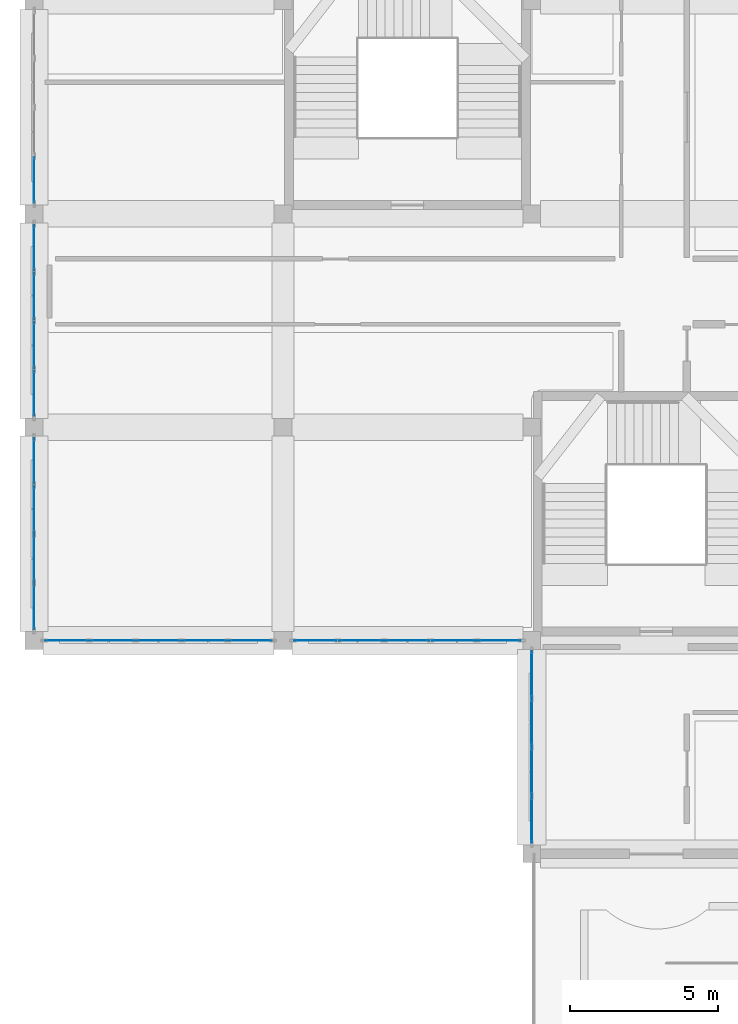
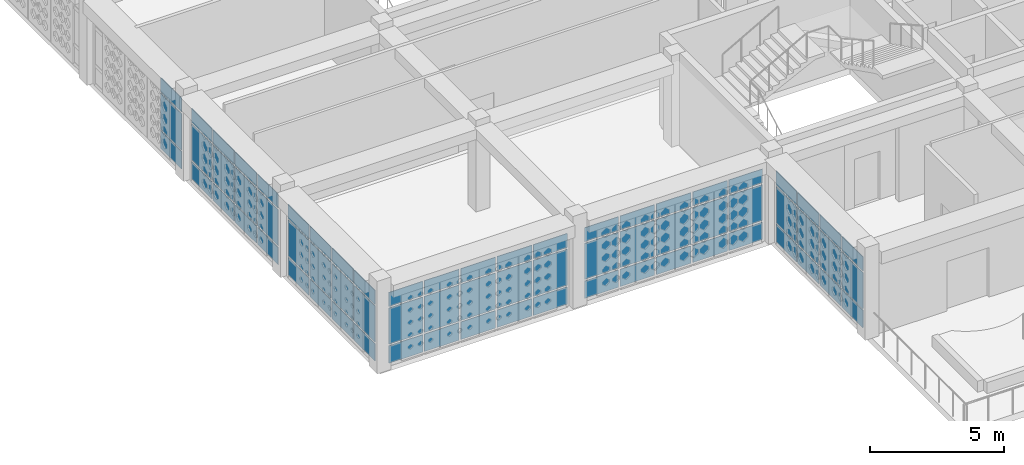
# One storey, part 24 of 48: 69 plates, 6 elements without a shape of their own.
"""IFC4 building model written with IfcOpenShell, lengths in metres."""

import ifcopenshell
import ifcopenshell.guid

model = None  # the IFC model being written
_history = None  # IfcOwnerHistory: only IFC2X3 demands one
_inside = {}  # id of a spatial element -> (the spatial element, [elements in it])
_under = {}  # id of a project, library or spatial element -> (it, [spatial elements below it])
_declared = {}  # id of a project -> (the project, [libraries it declares])
_typed = {}  # id of a type object -> (the type object, [elements of that type])
_made_of = {}  # id of a material, layer set ... -> (it, [elements and type objects made of it])


def new_model(schema):
    """Start an empty IFC model of exactly this schema.

    Asked for "IFC4X3", IfcOpenShell would pick the latest addendum, in which some entities
    have other attributes; the version numbers below select the first issue.
    IFC2X3 requires an IfcOwnerHistory on every rooted entity: one is made here for all.
    """
    global model, _history
    if schema == "IFC4X3":
        model = ifcopenshell.file(schema_version=(4, 3, 0, 0))
    else:
        model = ifcopenshell.file(schema=schema)
    _inside.clear()
    _under.clear()
    _declared.clear()
    _typed.clear()
    _made_of.clear()
    _history = None
    if model.schema == "IFC2X3":
        org = make("IfcOrganization", Name="unknown")
        user = make(
            "IfcPersonAndOrganization",
            ThePerson=make("IfcPerson", FamilyName="unknown"),
            TheOrganization=org,
        )
        app = make(
            "IfcApplication",
            ApplicationDeveloper=org,
            Version="unknown",
            ApplicationFullName="unknown",
            ApplicationIdentifier="unknown",
        )
        _history = make(
            "IfcOwnerHistory",
            OwningUser=user,
            OwningApplication=app,
            ChangeAction="ADDED",
            CreationDate=0,
        )
    return model


def make(cls, **values):
    """One entity of the class cls with the attributes given. An attribute that is None is left unset."""
    return model.create_entity(
        cls, **{name: value for name, value in values.items() if value is not None}
    )


def rooted(cls, **values):
    """An entity with a GlobalId (a new one), such as an element, a storey or a relation."""
    return make(cls, GlobalId=ifcopenshell.guid.new(), OwnerHistory=_history, **values)


def si_unit(unit_type, name, prefix=None):
    """IfcSIUnit, for example si_unit("LENGTHUNIT", "METRE", prefix="MILLI")."""
    return make("IfcSIUnit", UnitType=unit_type, Prefix=prefix, Name=name)


def derived_unit(unit_type, elements):
    """IfcDerivedUnit: a product of units, each with its exponent."""
    return make(
        "IfcDerivedUnit",
        Elements=[
            make("IfcDerivedUnitElement", Unit=unit, Exponent=power)
            for unit, power in elements
        ],
        UnitType=unit_type,
    )


def assignment(units):
    """IfcUnitAssignment: the units of a project."""
    return None if units is None else make("IfcUnitAssignment", Units=units)


def point(xyz):
    """IfcCartesianPoint."""
    return None if xyz is None else make("IfcCartesianPoint", Coordinates=xyz)


def direction(xyz):
    """IfcDirection."""
    return None if xyz is None else make("IfcDirection", DirectionRatios=xyz)


def frame(location, z_axis=None, x_axis=None):
    """IfcAxis2Placement3D, a coordinate frame: its origin and axes. An axis left out is left unset."""
    return make(
        "IfcAxis2Placement3D",
        Location=point(location),
        Axis=direction(z_axis),
        RefDirection=direction(x_axis),
    )


def frame_2d(location, x_axis=None):
    """IfcAxis2Placement2D, a coordinate frame in the plane: its origin and x axis."""
    return make(
        "IfcAxis2Placement2D", Location=point(location), RefDirection=direction(x_axis)
    )


def origin():
    """The frame at (0, 0, 0) with its axes left unset."""
    return frame((0.0, 0.0, 0.0))


def origin_2d():
    """The frame at (0, 0) in the plane with its x axis left unset."""
    return frame_2d((0.0, 0.0))


def place(relative_to, where):
    """IfcLocalPlacement: puts the frame where relative to a parent placement (None: the world)."""
    return make(
        "IfcLocalPlacement", PlacementRelTo=relative_to, RelativePlacement=where
    )


def context(
    kind, dimensions, precision=None, world=None, true_north=None, identifier=None
):
    """IfcGeometricRepresentationContext, for example the 3D "Model" context."""
    return make(
        "IfcGeometricRepresentationContext",
        ContextIdentifier=identifier,
        ContextType=kind,
        CoordinateSpaceDimension=dimensions,
        Precision=precision,
        WorldCoordinateSystem=world,
        TrueNorth=true_north,
    )


def subcontext(parent, identifier, kind, view, scale=None):
    """IfcGeometricRepresentationSubContext, for example "Body" below "Model"."""
    return make(
        "IfcGeometricRepresentationSubContext",
        ContextIdentifier=identifier,
        ContextType=kind,
        ParentContext=parent,
        TargetScale=scale,
        TargetView=view,
    )


def project(units=None, contexts=None):
    """IfcProject with its units and contexts."""
    return rooted(
        "IfcProject",
        Name="project",
        RepresentationContexts=contexts,
        UnitsInContext=assignment(units),
    )


def spatial(cls, under=None, at=None, **own):
    """A site, building, storey or space (cls), placed at a placement, below another one or the project."""
    s = rooted(cls, ObjectPlacement=at, **own)
    if under is not None:
        _under.setdefault(under.id(), (under, []))[1].append(s)
    return s


def profile(cls, at=None, kind="AREA", **sizes):
    """A parametric profile (cls). Its sizes go by their IFC names, for example OverallWidth=200.0."""
    return make(cls, ProfileType=kind, Position=at, **sizes)


def rectangle(**sizes):
    """IfcRectangleProfileDef."""
    return profile("IfcRectangleProfileDef", **sizes)


def extrude(swept, where, along, depth):
    """IfcExtrudedAreaSolid: the profile swept, set in the frame where, extruded along a direction by depth."""
    return make(
        "IfcExtrudedAreaSolid",
        SweptArea=swept,
        Position=where,
        ExtrudedDirection=direction(along),
        Depth=depth,
    )


def shape(context_of_items, identifier, shape_type, items):
    """IfcShapeRepresentation: the items that make up one representation, for example the "Body"."""
    return make(
        "IfcShapeRepresentation",
        ContextOfItems=context_of_items,
        RepresentationIdentifier=identifier,
        RepresentationType=shape_type,
        Items=items,
    )


def material(Name=None, Category=None):
    """IfcMaterial."""
    return make("IfcMaterial", Name=Name, Category=Category)


def layer(
    of_material, thickness, ventilated=None, Name=None, Category=None, Priority=None
):
    """IfcMaterialLayer: one layer of a wall or slab, of a material (None: an air gap)."""
    return make(
        "IfcMaterialLayer",
        Material=of_material,
        LayerThickness=thickness,
        IsVentilated=ventilated,
        Name=Name,
        Category=Category,
        Priority=Priority,
    )


def layer_set(layers, Name=None):
    """IfcMaterialLayerSet."""
    return make("IfcMaterialLayerSet", MaterialLayers=layers, LayerSetName=Name)


def made_of(thing, what):
    """Note that an element or type object is made of a material, layer set ...; save() writes the relation."""
    if what is not None:
        _made_of.setdefault(what.id(), (what, []))[1].append(thing)
    return thing


def type_object(cls, material=None, **own):
    """A type object (cls), such as IfcWallType, which elements share."""
    return made_of(rooted(cls, **own), material)


def element(
    cls,
    number,
    at=None,
    inside=None,
    cuts=None,
    type_object=None,
    material=None,
    context=None,
    identifier="Body",
    shape_type=None,
    held_by="IfcProductDefinitionShape",
    body=None,
    shapes=None,
    **own,
):
    """One element of the class cls, such as IfcWall. Its Tag is "e" and its number.

    at: its placement. inside: the storey or other place that contains it. cuts: it is an
    opening in that element (IfcRelVoidsElement). A single representation is given by context,
    identifier, shape_type and body (its items); several are given by shapes. held_by: the class
    of the entity that holds the representations. save() writes the other relations.
    """
    e = rooted(cls, Tag="e%d" % number, ObjectPlacement=at, **own)
    if body is not None:
        shapes = [shape(context, identifier, shape_type, body)]
    if shapes is not None:
        e.Representation = make(held_by, Representations=shapes)
    if inside is not None:
        _inside.setdefault(inside.id(), (inside, []))[1].append(e)
    if cuts is not None:
        rooted(
            "IfcRelVoidsElement", RelatingBuildingElement=cuts, RelatedOpeningElement=e
        )
    if type_object is not None:
        _typed.setdefault(type_object.id(), (type_object, []))[1].append(e)
    return made_of(e, material)


def aggregate(whole, parts):
    """IfcRelAggregates: a whole, such as a stair, and the parts it consists of."""
    return rooted("IfcRelAggregates", RelatingObject=whole, RelatedObjects=parts)


def save(model, path):
    """Write the relations noted so far, then the file.

    IfcRelAggregates (storeys below a building ...), IfcRelContainedInSpatialStructure (elements
    in a storey), IfcRelDefinesByType, IfcRelAssociatesMaterial and IfcRelDeclares: one each for
    every whole, place, type object, material and project.
    """
    for whole, parts in _under.values():
        aggregate(whole, parts)
    for where, things in _inside.values():
        rooted(
            "IfcRelContainedInSpatialStructure",
            RelatedElements=things,
            RelatingStructure=where,
        )
    for kind, things in _typed.values():
        rooted("IfcRelDefinesByType", RelatedObjects=things, RelatingType=kind)
    for what, things in _made_of.values():
        rooted("IfcRelAssociatesMaterial", RelatedObjects=things, RelatingMaterial=what)
    for by, libraries in _declared.values():
        rooted("IfcRelDeclares", RelatingContext=by, RelatedDefinitions=libraries)
    model.write(path)


model = new_model("IFC4")

# Units and contexts
model_context = context("Model", 3, precision=1e-05, world=origin(), true_north=direction((0.0, 1.0)))
body_context = subcontext(model_context, "Body", "Model", "MODEL_VIEW")
ifc_project = project(units=[si_unit("LENGTHUNIT", "METRE"), si_unit("AREAUNIT", "SQUARE_METRE"), si_unit("VOLUMEUNIT", "CUBIC_METRE"), si_unit("PLANEANGLEUNIT", "RADIAN"), si_unit("MASSUNIT", "GRAM", prefix="KILO"), derived_unit("THERMALTRANSMITTANCEUNIT", [(si_unit("POWERUNIT", "WATT"), 1), (si_unit("LENGTHUNIT", "METRE"), -2), (si_unit("THERMODYNAMICTEMPERATUREUNIT", "KELVIN"), -1)])], contexts=[model_context])

# Site, building, storey
site_placement = place(None, origin())
site = spatial("IfcSite", under=ifc_project, at=site_placement, CompositionType="ELEMENT")
building_placement = place(site_placement, origin())
building = spatial("IfcBuilding", under=site, at=building_placement, Name="Veybourne Emporium", CompositionType="ELEMENT")
storey_placement = place(building_placement, frame((0.0, 0.0, 27.89990234375)))
storey = spatial("IfcBuildingStorey", under=building, at=storey_placement, Name="L06", CompositionType="ELEMENT", Elevation=27.89990234375)

# Curtain wall, plates
ifc_material_1 = material(Name="Patinated Architectural Bronze", Category="bronze")
curtain_wall_type_1 = type_object("IfcCurtainWallType", Name="CWSystem_CWS-09", PredefinedType="NOTDEFINED", material=ifc_material_1)
curtain_wall_1_placement = place(storey_placement, origin())
curtain_wall_1 = element("IfcCurtainWall", 1, at=curtain_wall_1_placement, inside=storey, type_object=curtain_wall_type_1, Name="L06 bronze glazed curtain wall CWS-09 (001)", PredefinedType="NOTDEFINED")
ifc_material_2 = material(Name="Low-E Triple Glazing", Category="glass")
ifc_layer = layer(ifc_material_2, 0.028076171875)
ifc_layer_set = layer_set([ifc_layer], Name="Low-E Triple Glazing")
plate_type = type_object("IfcPlateType", Name="CWPanel_CW-P1", PredefinedType="CURTAIN_PANEL", material=ifc_layer_set)
plate_1_placement = place(storey_placement, frame((7.302001953125, 14.39990234375, 0.072021484375), z_axis=(0.0, 0.0, 1.0), x_axis=(-1.0, 0.0, 0.0)))
plate_1 = element("IfcPlate", 2, at=plate_1_placement, type_object=plate_type, Name="CWS-09 panel 1.1", PredefinedType="CURTAIN_PANEL", context=body_context, shape_type="SweptSolid", body=[
    extrude(rectangle(XDim=1.451904296875, YDim=0.028076171875, at=origin_2d()), origin(), (0.0, 0.0, 1.0), 0.7919921875),
])
plate_2_placement = place(storey_placement, frame((7.302001953125, 14.39990234375, 0.93603515625), z_axis=(0.0, 0.0, 1.0), x_axis=(-1.0, 0.0, 0.0)))
plate_2 = element("IfcPlate", 3, at=plate_2_placement, type_object=plate_type, Name="CWS-09 panel 1.2", PredefinedType="CURTAIN_PANEL", context=body_context, shape_type="SweptSolid", body=[
    extrude(rectangle(XDim=1.451904296875, YDim=0.028076171875, at=origin_2d()), origin(), (0.0, 0.0, 1.0), 1.637939453125),
])
plate_3_placement = place(storey_placement, frame((7.302001953125, 14.39990234375, 2.64599609375), z_axis=(0.0, 0.0, 1.0), x_axis=(-1.0, 0.0, 0.0)))
plate_3 = element("IfcPlate", 4, at=plate_3_placement, type_object=plate_type, Name="CWS-09 panel 1.3", PredefinedType="CURTAIN_PANEL", context=body_context, shape_type="SweptSolid", body=[
    extrude(rectangle(XDim=1.451904296875, YDim=0.028076171875, at=origin_2d()), origin(), (0.0, 0.0, 1.0), 0.64208984375),
])
plate_4_placement = place(storey_placement, frame((5.760009765625, 14.39990234375, 0.072021484375), z_axis=(0.0, 0.0, 1.0), x_axis=(-1.0, 0.0, 0.0)))
plate_4 = element("IfcPlate", 5, at=plate_4_placement, type_object=plate_type, Name="CWS-09 panel 2.1", PredefinedType="CURTAIN_PANEL", context=body_context, shape_type="SweptSolid", body=[
    extrude(rectangle(XDim=1.488037109375, YDim=0.028076171875, at=origin_2d()), origin(), (0.0, 0.0, 1.0), 0.7919921875),
])
plate_5_placement = place(storey_placement, frame((5.760009765625, 14.39990234375, 0.93603515625), z_axis=(0.0, 0.0, 1.0), x_axis=(-1.0, 0.0, 0.0)))
plate_5 = element("IfcPlate", 6, at=plate_5_placement, type_object=plate_type, Name="CWS-09 panel 2.2", PredefinedType="CURTAIN_PANEL", context=body_context, shape_type="SweptSolid", body=[
    extrude(rectangle(XDim=1.488037109375, YDim=0.028076171875, at=origin_2d()), origin(), (0.0, 0.0, 1.0), 1.637939453125),
])
plate_6_placement = place(storey_placement, frame((5.760009765625, 14.39990234375, 2.64599609375), z_axis=(0.0, 0.0, 1.0), x_axis=(-1.0, 0.0, 0.0)))
plate_6 = element("IfcPlate", 7, at=plate_6_placement, type_object=plate_type, Name="CWS-09 panel 2.3", PredefinedType="CURTAIN_PANEL", context=body_context, shape_type="SweptSolid", body=[
    extrude(rectangle(XDim=1.488037109375, YDim=0.028076171875, at=origin_2d()), origin(), (0.0, 0.0, 1.0), 0.64208984375),
])
plate_7_placement = place(storey_placement, frame((4.199951171875, 14.39990234375, 0.072021484375), z_axis=(0.0, 0.0, 1.0), x_axis=(-1.0, 0.0, 0.0)))
plate_7 = element("IfcPlate", 8, at=plate_7_placement, type_object=plate_type, Name="CWS-09 panel 3.1", PredefinedType="CURTAIN_PANEL", context=body_context, shape_type="SweptSolid", body=[
    extrude(rectangle(XDim=1.488037109375, YDim=0.028076171875, at=origin_2d()), origin(), (0.0, 0.0, 1.0), 0.7919921875),
])
plate_8_placement = place(storey_placement, frame((4.199951171875, 14.39990234375, 0.93603515625), z_axis=(0.0, 0.0, 1.0), x_axis=(-1.0, 0.0, 0.0)))
plate_8 = element("IfcPlate", 9, at=plate_8_placement, type_object=plate_type, Name="CWS-09 panel 3.2", PredefinedType="CURTAIN_PANEL", context=body_context, shape_type="SweptSolid", body=[
    extrude(rectangle(XDim=1.488037109375, YDim=0.028076171875, at=origin_2d()), origin(), (0.0, 0.0, 1.0), 1.637939453125),
])
plate_9_placement = place(storey_placement, frame((4.199951171875, 14.39990234375, 2.64599609375), z_axis=(0.0, 0.0, 1.0), x_axis=(-1.0, 0.0, 0.0)))
plate_9 = element("IfcPlate", 10, at=plate_9_placement, type_object=plate_type, Name="CWS-09 panel 3.3", PredefinedType="CURTAIN_PANEL", context=body_context, shape_type="SweptSolid", body=[
    extrude(rectangle(XDim=1.488037109375, YDim=0.028076171875, at=origin_2d()), origin(), (0.0, 0.0, 1.0), 0.64208984375),
])
plate_10_placement = place(storey_placement, frame((2.639892578125, 14.39990234375, 0.072021484375), z_axis=(0.0, 0.0, 1.0), x_axis=(-1.0, 0.0, 0.0)))
plate_10 = element("IfcPlate", 11, at=plate_10_placement, type_object=plate_type, Name="CWS-09 panel 4.1", PredefinedType="CURTAIN_PANEL", context=body_context, shape_type="SweptSolid", body=[
    extrude(rectangle(XDim=1.488037109375, YDim=0.028076171875, at=origin_2d()), origin(), (0.0, 0.0, 1.0), 0.7919921875),
])
plate_11_placement = place(storey_placement, frame((2.639892578125, 14.39990234375, 0.93603515625), z_axis=(0.0, 0.0, 1.0), x_axis=(-1.0, 0.0, 0.0)))
plate_11 = element("IfcPlate", 12, at=plate_11_placement, type_object=plate_type, Name="CWS-09 panel 4.2", PredefinedType="CURTAIN_PANEL", context=body_context, shape_type="SweptSolid", body=[
    extrude(rectangle(XDim=1.488037109375, YDim=0.028076171875, at=origin_2d()), origin(), (0.0, 0.0, 1.0), 1.637939453125),
])
plate_12_placement = place(storey_placement, frame((2.639892578125, 14.39990234375, 2.64599609375), z_axis=(0.0, 0.0, 1.0), x_axis=(-1.0, 0.0, 0.0)))
plate_12 = element("IfcPlate", 13, at=plate_12_placement, type_object=plate_type, Name="CWS-09 panel 4.3", PredefinedType="CURTAIN_PANEL", context=body_context, shape_type="SweptSolid", body=[
    extrude(rectangle(XDim=1.488037109375, YDim=0.028076171875, at=origin_2d()), origin(), (0.0, 0.0, 1.0), 0.64208984375),
])
plate_13_placement = place(storey_placement, frame((1.097900390625, 14.39990234375, 0.072021484375), z_axis=(0.0, 0.0, 1.0), x_axis=(-1.0, 0.0, 0.0)))
plate_13 = element("IfcPlate", 14, at=plate_13_placement, type_object=plate_type, Name="CWS-09 panel 5.1", PredefinedType="CURTAIN_PANEL", context=body_context, shape_type="SweptSolid", body=[
    extrude(rectangle(XDim=1.451904296875, YDim=0.028076171875, at=origin_2d()), origin(), (0.0, 0.0, 1.0), 0.7919921875),
])
plate_14_placement = place(storey_placement, frame((1.097900390625, 14.39990234375, 0.93603515625), z_axis=(0.0, 0.0, 1.0), x_axis=(-1.0, 0.0, 0.0)))
plate_14 = element("IfcPlate", 15, at=plate_14_placement, type_object=plate_type, Name="CWS-09 panel 5.2", PredefinedType="CURTAIN_PANEL", context=body_context, shape_type="SweptSolid", body=[
    extrude(rectangle(XDim=1.451904296875, YDim=0.028076171875, at=origin_2d()), origin(), (0.0, 0.0, 1.0), 1.637939453125),
])
plate_15_placement = place(storey_placement, frame((1.097900390625, 14.39990234375, 2.64599609375), z_axis=(0.0, 0.0, 1.0), x_axis=(-1.0, 0.0, 0.0)))
plate_15 = element("IfcPlate", 16, at=plate_15_placement, type_object=plate_type, Name="CWS-09 panel 5.3", PredefinedType="CURTAIN_PANEL", context=body_context, shape_type="SweptSolid", body=[
    extrude(rectangle(XDim=1.451904296875, YDim=0.028076171875, at=origin_2d()), origin(), (0.0, 0.0, 1.0), 0.64208984375),
])
aggregate(curtain_wall_1, [plate_1, plate_2, plate_3, plate_4, plate_5, plate_6, plate_7, plate_8, plate_9, plate_10, plate_11, plate_12, plate_13, plate_14, plate_15])

curtain_wall_type_2 = type_object("IfcCurtainWallType", Name="CWSystem_CWS-10", PredefinedType="NOTDEFINED", material=ifc_material_1)
curtain_wall_2_placement = place(storey_placement, origin())
curtain_wall_2 = element("IfcCurtainWall", 17, at=curtain_wall_2_placement, inside=storey, type_object=curtain_wall_type_2, Name="L06 bronze glazed curtain wall CWS-10 (002)", PredefinedType="NOTDEFINED")
plate_16_placement = place(storey_placement, frame((0.0, 15.543701171875, 0.074951171875), z_axis=(0.0, 0.0, 1.0), x_axis=(0.0, 1.0, 0.0)))
plate_16 = element("IfcPlate", 18, at=plate_16_placement, type_object=plate_type, Name="CWS-10 panel 1.1", PredefinedType="CURTAIN_PANEL", context=body_context, shape_type="SweptSolid", body=[
    extrude(rectangle(XDim=1.53759765625, YDim=0.028076171875, at=origin_2d()), origin(), (0.0, 0.0, 1.0), 0.78759765625),
])
plate_17_placement = place(storey_placement, frame((0.0, 15.543701171875, 0.9375), z_axis=(0.0, 0.0, 1.0), x_axis=(0.0, 1.0, 0.0)))
plate_17 = element("IfcPlate", 19, at=plate_17_placement, type_object=plate_type, Name="CWS-10 panel 1.2", PredefinedType="CURTAIN_PANEL", context=body_context, shape_type="SweptSolid", body=[
    extrude(rectangle(XDim=1.53759765625, YDim=0.028076171875, at=origin_2d()), origin(), (0.0, 0.0, 1.0), 1.635009765625),
])
plate_18_placement = place(storey_placement, frame((0.0, 15.543701171875, 2.6474609375), z_axis=(0.0, 0.0, 1.0), x_axis=(0.0, 1.0, 0.0)))
plate_18 = element("IfcPlate", 20, at=plate_18_placement, type_object=plate_type, Name="CWS-10 panel 1.3", PredefinedType="CURTAIN_PANEL", context=body_context, shape_type="SweptSolid", body=[
    extrude(rectangle(XDim=1.53759765625, YDim=0.028076171875, at=origin_2d()), origin(), (0.0, 0.0, 1.0), 0.637451171875),
])
plate_19_placement = place(storey_placement, frame((0.0, 17.175048828125, 0.074951171875), z_axis=(0.0, 0.0, 1.0), x_axis=(0.0, 1.0, 0.0)))
plate_19 = element("IfcPlate", 21, at=plate_19_placement, type_object=plate_type, Name="CWS-10 panel 2.1", PredefinedType="CURTAIN_PANEL", context=body_context, shape_type="SweptSolid", body=[
    extrude(rectangle(XDim=1.574951171875, YDim=0.028076171875, at=origin_2d()), origin(), (0.0, 0.0, 1.0), 0.78759765625),
])
plate_20_placement = place(storey_placement, frame((0.0, 17.175048828125, 0.9375), z_axis=(0.0, 0.0, 1.0), x_axis=(0.0, 1.0, 0.0)))
plate_20 = element("IfcPlate", 22, at=plate_20_placement, type_object=plate_type, Name="CWS-10 panel 2.2", PredefinedType="CURTAIN_PANEL", context=body_context, shape_type="SweptSolid", body=[
    extrude(rectangle(XDim=1.574951171875, YDim=0.028076171875, at=origin_2d()), origin(), (0.0, 0.0, 1.0), 1.635009765625),
])
plate_21_placement = place(storey_placement, frame((0.0, 17.175048828125, 2.6474609375), z_axis=(0.0, 0.0, 1.0), x_axis=(0.0, 1.0, 0.0)))
plate_21 = element("IfcPlate", 23, at=plate_21_placement, type_object=plate_type, Name="CWS-10 panel 2.3", PredefinedType="CURTAIN_PANEL", context=body_context, shape_type="SweptSolid", body=[
    extrude(rectangle(XDim=1.574951171875, YDim=0.028076171875, at=origin_2d()), origin(), (0.0, 0.0, 1.0), 0.637451171875),
])
plate_22_placement = place(storey_placement, frame((0.0, 18.824951171875, 0.074951171875), z_axis=(0.0, 0.0, 1.0), x_axis=(0.0, 1.0, 0.0)))
plate_22 = element("IfcPlate", 24, at=plate_22_placement, type_object=plate_type, Name="CWS-10 panel 3.1", PredefinedType="CURTAIN_PANEL", context=body_context, shape_type="SweptSolid", body=[
    extrude(rectangle(XDim=1.574951171875, YDim=0.028076171875, at=origin_2d()), origin(), (0.0, 0.0, 1.0), 0.78759765625),
])
plate_23_placement = place(storey_placement, frame((0.0, 18.824951171875, 0.9375), z_axis=(0.0, 0.0, 1.0), x_axis=(0.0, 1.0, 0.0)))
plate_23 = element("IfcPlate", 25, at=plate_23_placement, type_object=plate_type, Name="CWS-10 panel 3.2", PredefinedType="CURTAIN_PANEL", context=body_context, shape_type="SweptSolid", body=[
    extrude(rectangle(XDim=1.574951171875, YDim=0.028076171875, at=origin_2d()), origin(), (0.0, 0.0, 1.0), 1.635009765625),
])
plate_24_placement = place(storey_placement, frame((0.0, 18.824951171875, 2.6474609375), z_axis=(0.0, 0.0, 1.0), x_axis=(0.0, 1.0, 0.0)))
plate_24 = element("IfcPlate", 26, at=plate_24_placement, type_object=plate_type, Name="CWS-10 panel 3.3", PredefinedType="CURTAIN_PANEL", context=body_context, shape_type="SweptSolid", body=[
    extrude(rectangle(XDim=1.574951171875, YDim=0.028076171875, at=origin_2d()), origin(), (0.0, 0.0, 1.0), 0.637451171875),
])
plate_25_placement = place(storey_placement, frame((0.0, 20.456298828125, 0.074951171875), z_axis=(0.0, 0.0, 1.0), x_axis=(0.0, 1.0, 0.0)))
plate_25 = element("IfcPlate", 27, at=plate_25_placement, type_object=plate_type, Name="CWS-10 panel 4.1", PredefinedType="CURTAIN_PANEL", context=body_context, shape_type="SweptSolid", body=[
    extrude(rectangle(XDim=1.53759765625, YDim=0.028076171875, at=origin_2d()), origin(), (0.0, 0.0, 1.0), 0.78759765625),
])
plate_26_placement = place(storey_placement, frame((0.0, 20.456298828125, 0.9375), z_axis=(0.0, 0.0, 1.0), x_axis=(0.0, 1.0, 0.0)))
plate_26 = element("IfcPlate", 28, at=plate_26_placement, type_object=plate_type, Name="CWS-10 panel 4.2", PredefinedType="CURTAIN_PANEL", context=body_context, shape_type="SweptSolid", body=[
    extrude(rectangle(XDim=1.53759765625, YDim=0.028076171875, at=origin_2d()), origin(), (0.0, 0.0, 1.0), 1.635009765625),
])
plate_27_placement = place(storey_placement, frame((0.0, 20.456298828125, 2.6474609375), z_axis=(0.0, 0.0, 1.0), x_axis=(0.0, 1.0, 0.0)))
plate_27 = element("IfcPlate", 29, at=plate_27_placement, type_object=plate_type, Name="CWS-10 panel 4.3", PredefinedType="CURTAIN_PANEL", context=body_context, shape_type="SweptSolid", body=[
    extrude(rectangle(XDim=1.53759765625, YDim=0.028076171875, at=origin_2d()), origin(), (0.0, 0.0, 1.0), 0.637451171875),
])
aggregate(curtain_wall_2, [plate_16, plate_17, plate_18, plate_19, plate_20, plate_21, plate_22, plate_23, plate_24, plate_25, plate_26, plate_27])

curtain_wall_type_3 = type_object("IfcCurtainWallType", Name="CWSystem_CWS-11", PredefinedType="NOTDEFINED", material=ifc_material_1)
curtain_wall_3_placement = place(storey_placement, origin())
curtain_wall_3 = element("IfcCurtainWall", 30, at=curtain_wall_3_placement, inside=storey, type_object=curtain_wall_type_3, Name="L06 bronze glazed curtain wall CWS-11 (003)", PredefinedType="NOTDEFINED")
plate_28_placement = place(storey_placement, frame((0.0, 22.744384765625, 0.078125), z_axis=(0.0, 0.0, 1.0), x_axis=(0.0, 1.0, 0.0)))
plate_28 = element("IfcPlate", 31, at=plate_28_placement, type_object=plate_type, Name="CWS-11 panel 1.1", PredefinedType="CURTAIN_PANEL", context=body_context, shape_type="SweptSolid", body=[
    extrude(rectangle(XDim=1.532958984375, YDim=0.028076171875, at=origin_2d()), origin(), (0.0, 0.0, 1.0), 0.782958984375),
])
plate_29_placement = place(storey_placement, frame((0.0, 22.744384765625, 0.93896484375), z_axis=(0.0, 0.0, 1.0), x_axis=(0.0, 1.0, 0.0)))
plate_29 = element("IfcPlate", 32, at=plate_29_placement, type_object=plate_type, Name="CWS-11 panel 1.2", PredefinedType="CURTAIN_PANEL", context=body_context, shape_type="SweptSolid", body=[
    extrude(rectangle(XDim=1.532958984375, YDim=0.028076171875, at=origin_2d()), origin(), (0.0, 0.0, 1.0), 1.632080078125),
])
plate_30_placement = place(storey_placement, frame((0.0, 22.744384765625, 2.64892578125), z_axis=(0.0, 0.0, 1.0), x_axis=(0.0, 1.0, 0.0)))
plate_30 = element("IfcPlate", 33, at=plate_30_placement, type_object=plate_type, Name="CWS-11 panel 1.3", PredefinedType="CURTAIN_PANEL", context=body_context, shape_type="SweptSolid", body=[
    extrude(rectangle(XDim=1.532958984375, YDim=0.028076171875, at=origin_2d()), origin(), (0.0, 0.0, 1.0), 0.633056640625),
])
plate_31_placement = place(storey_placement, frame((0.0, 24.375, 0.078125), z_axis=(0.0, 0.0, 1.0), x_axis=(0.0, 1.0, 0.0)))
plate_31 = element("IfcPlate", 34, at=plate_31_placement, type_object=plate_type, Name="CWS-11 panel 2.1", PredefinedType="CURTAIN_PANEL", context=body_context, shape_type="SweptSolid", body=[
    extrude(rectangle(XDim=1.572021484375, YDim=0.028076171875, at=origin_2d()), origin(), (0.0, 0.0, 1.0), 0.782958984375),
])
plate_32_placement = place(storey_placement, frame((0.0, 24.375, 0.93896484375), z_axis=(0.0, 0.0, 1.0), x_axis=(0.0, 1.0, 0.0)))
plate_32 = element("IfcPlate", 35, at=plate_32_placement, type_object=plate_type, Name="CWS-11 panel 2.2", PredefinedType="CURTAIN_PANEL", context=body_context, shape_type="SweptSolid", body=[
    extrude(rectangle(XDim=1.572021484375, YDim=0.028076171875, at=origin_2d()), origin(), (0.0, 0.0, 1.0), 1.632080078125),
])
plate_33_placement = place(storey_placement, frame((0.0, 24.375, 2.64892578125), z_axis=(0.0, 0.0, 1.0), x_axis=(0.0, 1.0, 0.0)))
plate_33 = element("IfcPlate", 36, at=plate_33_placement, type_object=plate_type, Name="CWS-11 panel 2.3", PredefinedType="CURTAIN_PANEL", context=body_context, shape_type="SweptSolid", body=[
    extrude(rectangle(XDim=1.572021484375, YDim=0.028076171875, at=origin_2d()), origin(), (0.0, 0.0, 1.0), 0.633056640625),
])
plate_34_placement = place(storey_placement, frame((0.0, 26.02490234375, 0.078125), z_axis=(0.0, 0.0, 1.0), x_axis=(0.0, 1.0, 0.0)))
plate_34 = element("IfcPlate", 37, at=plate_34_placement, type_object=plate_type, Name="CWS-11 panel 3.1", PredefinedType="CURTAIN_PANEL", context=body_context, shape_type="SweptSolid", body=[
    extrude(rectangle(XDim=1.572021484375, YDim=0.028076171875, at=origin_2d()), origin(), (0.0, 0.0, 1.0), 0.782958984375),
])
plate_35_placement = place(storey_placement, frame((0.0, 26.02490234375, 0.93896484375), z_axis=(0.0, 0.0, 1.0), x_axis=(0.0, 1.0, 0.0)))
plate_35 = element("IfcPlate", 38, at=plate_35_placement, type_object=plate_type, Name="CWS-11 panel 3.2", PredefinedType="CURTAIN_PANEL", context=body_context, shape_type="SweptSolid", body=[
    extrude(rectangle(XDim=1.572021484375, YDim=0.028076171875, at=origin_2d()), origin(), (0.0, 0.0, 1.0), 1.632080078125),
])
plate_36_placement = place(storey_placement, frame((0.0, 26.02490234375, 2.64892578125), z_axis=(0.0, 0.0, 1.0), x_axis=(0.0, 1.0, 0.0)))
plate_36 = element("IfcPlate", 39, at=plate_36_placement, type_object=plate_type, Name="CWS-11 panel 3.3", PredefinedType="CURTAIN_PANEL", context=body_context, shape_type="SweptSolid", body=[
    extrude(rectangle(XDim=1.572021484375, YDim=0.028076171875, at=origin_2d()), origin(), (0.0, 0.0, 1.0), 0.633056640625),
])
plate_37_placement = place(storey_placement, frame((0.0, 27.655517578125, 0.078125), z_axis=(0.0, 0.0, 1.0), x_axis=(0.0, 1.0, 0.0)))
plate_37 = element("IfcPlate", 40, at=plate_37_placement, type_object=plate_type, Name="CWS-11 panel 4.1", PredefinedType="CURTAIN_PANEL", context=body_context, shape_type="SweptSolid", body=[
    extrude(rectangle(XDim=1.532958984375, YDim=0.028076171875, at=origin_2d()), origin(), (0.0, 0.0, 1.0), 0.782958984375),
])
plate_38_placement = place(storey_placement, frame((0.0, 27.655517578125, 0.93896484375), z_axis=(0.0, 0.0, 1.0), x_axis=(0.0, 1.0, 0.0)))
plate_38 = element("IfcPlate", 41, at=plate_38_placement, type_object=plate_type, Name="CWS-11 panel 4.2", PredefinedType="CURTAIN_PANEL", context=body_context, shape_type="SweptSolid", body=[
    extrude(rectangle(XDim=1.532958984375, YDim=0.028076171875, at=origin_2d()), origin(), (0.0, 0.0, 1.0), 1.632080078125),
])
plate_39_placement = place(storey_placement, frame((0.0, 27.655517578125, 2.64892578125), z_axis=(0.0, 0.0, 1.0), x_axis=(0.0, 1.0, 0.0)))
plate_39 = element("IfcPlate", 42, at=plate_39_placement, type_object=plate_type, Name="CWS-11 panel 4.3", PredefinedType="CURTAIN_PANEL", context=body_context, shape_type="SweptSolid", body=[
    extrude(rectangle(XDim=1.532958984375, YDim=0.028076171875, at=origin_2d()), origin(), (0.0, 0.0, 1.0), 0.633056640625),
])
aggregate(curtain_wall_3, [plate_28, plate_29, plate_30, plate_31, plate_32, plate_33, plate_34, plate_35, plate_36, plate_37, plate_38, plate_39])

curtain_wall_type_4 = type_object("IfcCurtainWallType", Name="CWSystem_CWS-12", PredefinedType="NOTDEFINED", material=ifc_material_1)
curtain_wall_4_placement = place(storey_placement, origin())
curtain_wall_4 = element("IfcCurtainWall", 43, at=curtain_wall_4_placement, inside=storey, type_object=curtain_wall_type_4, Name="L06 bronze glazed curtain wall CWS-12 (004)", PredefinedType="NOTDEFINED")
plate_40_placement = place(storey_placement, frame((0.0, 29.9423828125, 0.070068359375), z_axis=(0.0, 0.0, 1.0), x_axis=(0.0, 1.0, 0.0)))
plate_40 = element("IfcPlate", 44, at=plate_40_placement, type_object=plate_type, Name="CWS-12 panel 1.1", PredefinedType="CURTAIN_PANEL", context=body_context, shape_type="SweptSolid", body=[
    extrude(rectangle(XDim=1.544921875, YDim=0.028076171875, at=origin_2d()), origin(), (0.0, 0.0, 1.0), 0.794921875),
])
plate_41_placement = place(storey_placement, frame((0.0, 29.9423828125, 0.93505859375), z_axis=(0.0, 0.0, 1.0), x_axis=(0.0, 1.0, 0.0)))
plate_41 = element("IfcPlate", 45, at=plate_41_placement, type_object=plate_type, Name="CWS-12 panel 1.2", PredefinedType="CURTAIN_PANEL", context=body_context, shape_type="SweptSolid", body=[
    extrude(rectangle(XDim=1.544921875, YDim=0.028076171875, at=origin_2d()), origin(), (0.0, 0.0, 1.0), 1.639892578125),
])
plate_42_placement = place(storey_placement, frame((0.0, 29.9423828125, 2.64501953125), z_axis=(0.0, 0.0, 1.0), x_axis=(0.0, 1.0, 0.0)))
plate_42 = element("IfcPlate", 46, at=plate_42_placement, type_object=plate_type, Name="CWS-12 panel 1.3", PredefinedType="CURTAIN_PANEL", context=body_context, shape_type="SweptSolid", body=[
    extrude(rectangle(XDim=1.544921875, YDim=0.028076171875, at=origin_2d()), origin(), (0.0, 0.0, 1.0), 0.64501953125),
])
aggregate(curtain_wall_4, [plate_40, plate_41, plate_42])

curtain_wall_type_5 = type_object("IfcCurtainWallType", Name="CWSystem_CWS-15", PredefinedType="NOTDEFINED", material=ifc_material_1)
curtain_wall_5_placement = place(storey_placement, origin())
curtain_wall_5 = element("IfcCurtainWall", 47, at=curtain_wall_5_placement, inside=storey, type_object=curtain_wall_type_5, Name="L06 bronze glazed curtain wall CWS-15 (008)", PredefinedType="NOTDEFINED")
plate_43_placement = place(storey_placement, frame((15.700439453125, 14.39990234375, 0.078125), z_axis=(0.0, 0.0, 1.0), x_axis=(-1.0, 0.0, 0.0)))
plate_43 = element("IfcPlate", 48, at=plate_43_placement, type_object=plate_type, Name="CWS-15 panel 1.1", PredefinedType="CURTAIN_PANEL", context=body_context, shape_type="SweptSolid", body=[
    extrude(rectangle(XDim=1.443115234375, YDim=0.028076171875, at=origin_2d()), origin(), (0.0, 0.0, 1.0), 0.782958984375),
])
plate_44_placement = place(storey_placement, frame((15.700439453125, 14.39990234375, 0.93896484375), z_axis=(0.0, 0.0, 1.0), x_axis=(-1.0, 0.0, 0.0)))
plate_44 = element("IfcPlate", 49, at=plate_44_placement, type_object=plate_type, Name="CWS-15 panel 1.2", PredefinedType="CURTAIN_PANEL", context=body_context, shape_type="SweptSolid", body=[
    extrude(rectangle(XDim=1.443115234375, YDim=0.028076171875, at=origin_2d()), origin(), (0.0, 0.0, 1.0), 1.632080078125),
])
plate_45_placement = place(storey_placement, frame((15.700439453125, 14.39990234375, 2.64892578125), z_axis=(0.0, 0.0, 1.0), x_axis=(-1.0, 0.0, 0.0)))
plate_45 = element("IfcPlate", 50, at=plate_45_placement, type_object=plate_type, Name="CWS-15 panel 1.3", PredefinedType="CURTAIN_PANEL", context=body_context, shape_type="SweptSolid", body=[
    extrude(rectangle(XDim=1.443115234375, YDim=0.028076171875, at=origin_2d()), origin(), (0.0, 0.0, 1.0), 0.633056640625),
])
plate_46_placement = place(storey_placement, frame((14.159912109375, 14.39990234375, 0.078125), z_axis=(0.0, 0.0, 1.0), x_axis=(-1.0, 0.0, 0.0)))
plate_46 = element("IfcPlate", 51, at=plate_46_placement, type_object=plate_type, Name="CWS-15 panel 2.1", PredefinedType="CURTAIN_PANEL", context=body_context, shape_type="SweptSolid", body=[
    extrude(rectangle(XDim=1.48193359375, YDim=0.028076171875, at=origin_2d()), origin(), (0.0, 0.0, 1.0), 0.782958984375),
])
plate_47_placement = place(storey_placement, frame((14.159912109375, 14.39990234375, 0.93896484375), z_axis=(0.0, 0.0, 1.0), x_axis=(-1.0, 0.0, 0.0)))
plate_47 = element("IfcPlate", 52, at=plate_47_placement, type_object=plate_type, Name="CWS-15 panel 2.2", PredefinedType="CURTAIN_PANEL", context=body_context, shape_type="SweptSolid", body=[
    extrude(rectangle(XDim=1.48193359375, YDim=0.028076171875, at=origin_2d()), origin(), (0.0, 0.0, 1.0), 1.632080078125),
])
plate_48_placement = place(storey_placement, frame((14.159912109375, 14.39990234375, 2.64892578125), z_axis=(0.0, 0.0, 1.0), x_axis=(-1.0, 0.0, 0.0)))
plate_48 = element("IfcPlate", 53, at=plate_48_placement, type_object=plate_type, Name="CWS-15 panel 2.3", PredefinedType="CURTAIN_PANEL", context=body_context, shape_type="SweptSolid", body=[
    extrude(rectangle(XDim=1.48193359375, YDim=0.028076171875, at=origin_2d()), origin(), (0.0, 0.0, 1.0), 0.633056640625),
])
plate_49_placement = place(storey_placement, frame((12.60009765625, 14.39990234375, 0.078125), z_axis=(0.0, 0.0, 1.0), x_axis=(-1.0, 0.0, 0.0)))
plate_49 = element("IfcPlate", 54, at=plate_49_placement, type_object=plate_type, Name="CWS-15 panel 3.1", PredefinedType="CURTAIN_PANEL", context=body_context, shape_type="SweptSolid", body=[
    extrude(rectangle(XDim=1.48193359375, YDim=0.028076171875, at=origin_2d()), origin(), (0.0, 0.0, 1.0), 0.782958984375),
])
plate_50_placement = place(storey_placement, frame((12.60009765625, 14.39990234375, 0.93896484375), z_axis=(0.0, 0.0, 1.0), x_axis=(-1.0, 0.0, 0.0)))
plate_50 = element("IfcPlate", 55, at=plate_50_placement, type_object=plate_type, Name="CWS-15 panel 3.2", PredefinedType="CURTAIN_PANEL", context=body_context, shape_type="SweptSolid", body=[
    extrude(rectangle(XDim=1.48193359375, YDim=0.028076171875, at=origin_2d()), origin(), (0.0, 0.0, 1.0), 1.632080078125),
])
plate_51_placement = place(storey_placement, frame((12.60009765625, 14.39990234375, 2.64892578125), z_axis=(0.0, 0.0, 1.0), x_axis=(-1.0, 0.0, 0.0)))
plate_51 = element("IfcPlate", 56, at=plate_51_placement, type_object=plate_type, Name="CWS-15 panel 3.3", PredefinedType="CURTAIN_PANEL", context=body_context, shape_type="SweptSolid", body=[
    extrude(rectangle(XDim=1.48193359375, YDim=0.028076171875, at=origin_2d()), origin(), (0.0, 0.0, 1.0), 0.633056640625),
])
plate_52_placement = place(storey_placement, frame((11.0400390625, 14.39990234375, 0.078125), z_axis=(0.0, 0.0, 1.0), x_axis=(-1.0, 0.0, 0.0)))
plate_52 = element("IfcPlate", 57, at=plate_52_placement, type_object=plate_type, Name="CWS-15 panel 4.1", PredefinedType="CURTAIN_PANEL", context=body_context, shape_type="SweptSolid", body=[
    extrude(rectangle(XDim=1.48193359375, YDim=0.028076171875, at=origin_2d()), origin(), (0.0, 0.0, 1.0), 0.782958984375),
])
plate_53_placement = place(storey_placement, frame((11.0400390625, 14.39990234375, 0.93896484375), z_axis=(0.0, 0.0, 1.0), x_axis=(-1.0, 0.0, 0.0)))
plate_53 = element("IfcPlate", 58, at=plate_53_placement, type_object=plate_type, Name="CWS-15 panel 4.2", PredefinedType="CURTAIN_PANEL", context=body_context, shape_type="SweptSolid", body=[
    extrude(rectangle(XDim=1.48193359375, YDim=0.028076171875, at=origin_2d()), origin(), (0.0, 0.0, 1.0), 1.632080078125),
])
plate_54_placement = place(storey_placement, frame((11.0400390625, 14.39990234375, 2.64892578125), z_axis=(0.0, 0.0, 1.0), x_axis=(-1.0, 0.0, 0.0)))
plate_54 = element("IfcPlate", 59, at=plate_54_placement, type_object=plate_type, Name="CWS-15 panel 4.3", PredefinedType="CURTAIN_PANEL", context=body_context, shape_type="SweptSolid", body=[
    extrude(rectangle(XDim=1.48193359375, YDim=0.028076171875, at=origin_2d()), origin(), (0.0, 0.0, 1.0), 0.633056640625),
])
plate_55_placement = place(storey_placement, frame((9.49951171875, 14.39990234375, 0.078125), z_axis=(0.0, 0.0, 1.0), x_axis=(-1.0, 0.0, 0.0)))
plate_55 = element("IfcPlate", 60, at=plate_55_placement, type_object=plate_type, Name="CWS-15 panel 5.1", PredefinedType="CURTAIN_PANEL", context=body_context, shape_type="SweptSolid", body=[
    extrude(rectangle(XDim=1.443115234375, YDim=0.028076171875, at=origin_2d()), origin(), (0.0, 0.0, 1.0), 0.782958984375),
])
plate_56_placement = place(storey_placement, frame((9.49951171875, 14.39990234375, 0.93896484375), z_axis=(0.0, 0.0, 1.0), x_axis=(-1.0, 0.0, 0.0)))
plate_56 = element("IfcPlate", 61, at=plate_56_placement, type_object=plate_type, Name="CWS-15 panel 5.2", PredefinedType="CURTAIN_PANEL", context=body_context, shape_type="SweptSolid", body=[
    extrude(rectangle(XDim=1.443115234375, YDim=0.028076171875, at=origin_2d()), origin(), (0.0, 0.0, 1.0), 1.632080078125),
])
plate_57_placement = place(storey_placement, frame((9.49951171875, 14.39990234375, 2.64892578125), z_axis=(0.0, 0.0, 1.0), x_axis=(-1.0, 0.0, 0.0)))
plate_57 = element("IfcPlate", 62, at=plate_57_placement, type_object=plate_type, Name="CWS-15 panel 5.3", PredefinedType="CURTAIN_PANEL", context=body_context, shape_type="SweptSolid", body=[
    extrude(rectangle(XDim=1.443115234375, YDim=0.028076171875, at=origin_2d()), origin(), (0.0, 0.0, 1.0), 0.633056640625),
])
aggregate(curtain_wall_5, [plate_43, plate_44, plate_45, plate_46, plate_47, plate_48, plate_49, plate_50, plate_51, plate_52, plate_53, plate_54, plate_55, plate_56, plate_57])

curtain_wall_type_6 = type_object("IfcCurtainWallType", Name="CWSystem_CWS-16", PredefinedType="NOTDEFINED", material=ifc_material_1)
curtain_wall_6_placement = place(storey_placement, origin())
curtain_wall_6 = element("IfcCurtainWall", 63, at=curtain_wall_6_placement, inside=storey, type_object=curtain_wall_type_6, Name="L06 bronze glazed curtain wall CWS-16 (011)", PredefinedType="NOTDEFINED")
plate_58_placement = place(storey_placement, frame((16.800048828125, 8.342529296875, 0.070068359375), z_axis=(0.0, 0.0, 1.0), x_axis=(0.0, 1.0, 0.0)))
plate_58 = element("IfcPlate", 64, at=plate_58_placement, type_object=plate_type, Name="CWS-16 panel 1.1", PredefinedType="CURTAIN_PANEL", context=body_context, shape_type="SweptSolid", body=[
    extrude(rectangle(XDim=1.544921875, YDim=0.028076171875, at=origin_2d()), origin(), (0.0, 0.0, 1.0), 0.794921875),
])
plate_59_placement = place(storey_placement, frame((16.800048828125, 8.342529296875, 0.93505859375), z_axis=(0.0, 0.0, 1.0), x_axis=(0.0, 1.0, 0.0)))
plate_59 = element("IfcPlate", 65, at=plate_59_placement, type_object=plate_type, Name="CWS-16 panel 1.2", PredefinedType="CURTAIN_PANEL", context=body_context, shape_type="SweptSolid", body=[
    extrude(rectangle(XDim=1.544921875, YDim=0.028076171875, at=origin_2d()), origin(), (0.0, 0.0, 1.0), 1.639892578125),
])
plate_60_placement = place(storey_placement, frame((16.800048828125, 8.342529296875, 2.64501953125), z_axis=(0.0, 0.0, 1.0), x_axis=(0.0, 1.0, 0.0)))
plate_60 = element("IfcPlate", 66, at=plate_60_placement, type_object=plate_type, Name="CWS-16 panel 1.3", PredefinedType="CURTAIN_PANEL", context=body_context, shape_type="SweptSolid", body=[
    extrude(rectangle(XDim=1.544921875, YDim=0.028076171875, at=origin_2d()), origin(), (0.0, 0.0, 1.0), 0.64501953125),
])
plate_61_placement = place(storey_placement, frame((16.800048828125, 9.97509765625, 0.070068359375), z_axis=(0.0, 0.0, 1.0), x_axis=(0.0, 1.0, 0.0)))
plate_61 = element("IfcPlate", 67, at=plate_61_placement, type_object=plate_type, Name="CWS-16 panel 2.1", PredefinedType="CURTAIN_PANEL", context=body_context, shape_type="SweptSolid", body=[
    extrude(rectangle(XDim=1.580078125, YDim=0.028076171875, at=origin_2d()), origin(), (0.0, 0.0, 1.0), 0.794921875),
])
plate_62_placement = place(storey_placement, frame((16.800048828125, 9.97509765625, 0.93505859375), z_axis=(0.0, 0.0, 1.0), x_axis=(0.0, 1.0, 0.0)))
plate_62 = element("IfcPlate", 68, at=plate_62_placement, type_object=plate_type, Name="CWS-16 panel 2.2", PredefinedType="CURTAIN_PANEL", context=body_context, shape_type="SweptSolid", body=[
    extrude(rectangle(XDim=1.580078125, YDim=0.028076171875, at=origin_2d()), origin(), (0.0, 0.0, 1.0), 1.639892578125),
])
plate_63_placement = place(storey_placement, frame((16.800048828125, 9.97509765625, 2.64501953125), z_axis=(0.0, 0.0, 1.0), x_axis=(0.0, 1.0, 0.0)))
plate_63 = element("IfcPlate", 69, at=plate_63_placement, type_object=plate_type, Name="CWS-16 panel 2.3", PredefinedType="CURTAIN_PANEL", context=body_context, shape_type="SweptSolid", body=[
    extrude(rectangle(XDim=1.580078125, YDim=0.028076171875, at=origin_2d()), origin(), (0.0, 0.0, 1.0), 0.64501953125),
])
plate_64_placement = place(storey_placement, frame((16.800048828125, 11.625, 0.070068359375), z_axis=(0.0, 0.0, 1.0), x_axis=(0.0, 1.0, 0.0)))
plate_64 = element("IfcPlate", 70, at=plate_64_placement, type_object=plate_type, Name="CWS-16 panel 3.1", PredefinedType="CURTAIN_PANEL", context=body_context, shape_type="SweptSolid", body=[
    extrude(rectangle(XDim=1.580078125, YDim=0.028076171875, at=origin_2d()), origin(), (0.0, 0.0, 1.0), 0.794921875),
])
plate_65_placement = place(storey_placement, frame((16.800048828125, 11.625, 0.93505859375), z_axis=(0.0, 0.0, 1.0), x_axis=(0.0, 1.0, 0.0)))
plate_65 = element("IfcPlate", 71, at=plate_65_placement, type_object=plate_type, Name="CWS-16 panel 3.2", PredefinedType="CURTAIN_PANEL", context=body_context, shape_type="SweptSolid", body=[
    extrude(rectangle(XDim=1.580078125, YDim=0.028076171875, at=origin_2d()), origin(), (0.0, 0.0, 1.0), 1.639892578125),
])
plate_66_placement = place(storey_placement, frame((16.800048828125, 11.625, 2.64501953125), z_axis=(0.0, 0.0, 1.0), x_axis=(0.0, 1.0, 0.0)))
plate_66 = element("IfcPlate", 72, at=plate_66_placement, type_object=plate_type, Name="CWS-16 panel 3.3", PredefinedType="CURTAIN_PANEL", context=body_context, shape_type="SweptSolid", body=[
    extrude(rectangle(XDim=1.580078125, YDim=0.028076171875, at=origin_2d()), origin(), (0.0, 0.0, 1.0), 0.64501953125),
])
plate_67_placement = place(storey_placement, frame((16.800048828125, 13.257568359375, 0.070068359375), z_axis=(0.0, 0.0, 1.0), x_axis=(0.0, 1.0, 0.0)))
plate_67 = element("IfcPlate", 73, at=plate_67_placement, type_object=plate_type, Name="CWS-16 panel 4.1", PredefinedType="CURTAIN_PANEL", context=body_context, shape_type="SweptSolid", body=[
    extrude(rectangle(XDim=1.544921875, YDim=0.028076171875, at=origin_2d()), origin(), (0.0, 0.0, 1.0), 0.794921875),
])
plate_68_placement = place(storey_placement, frame((16.800048828125, 13.257568359375, 0.93505859375), z_axis=(0.0, 0.0, 1.0), x_axis=(0.0, 1.0, 0.0)))
plate_68 = element("IfcPlate", 74, at=plate_68_placement, type_object=plate_type, Name="CWS-16 panel 4.2", PredefinedType="CURTAIN_PANEL", context=body_context, shape_type="SweptSolid", body=[
    extrude(rectangle(XDim=1.544921875, YDim=0.028076171875, at=origin_2d()), origin(), (0.0, 0.0, 1.0), 1.639892578125),
])
plate_69_placement = place(storey_placement, frame((16.800048828125, 13.257568359375, 2.64501953125), z_axis=(0.0, 0.0, 1.0), x_axis=(0.0, 1.0, 0.0)))
plate_69 = element("IfcPlate", 75, at=plate_69_placement, type_object=plate_type, Name="CWS-16 panel 4.3", PredefinedType="CURTAIN_PANEL", context=body_context, shape_type="SweptSolid", body=[
    extrude(rectangle(XDim=1.544921875, YDim=0.028076171875, at=origin_2d()), origin(), (0.0, 0.0, 1.0), 0.64501953125),
])
aggregate(curtain_wall_6, [plate_58, plate_59, plate_60, plate_61, plate_62, plate_63, plate_64, plate_65, plate_66, plate_67, plate_68, plate_69])

save(model, "model.ifc")
